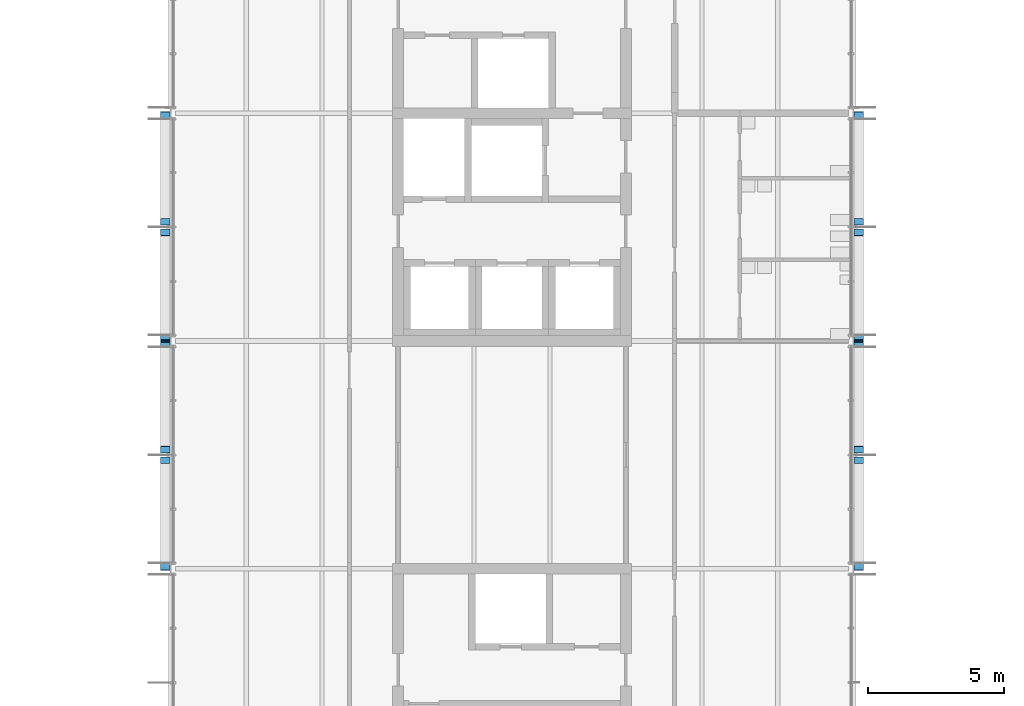
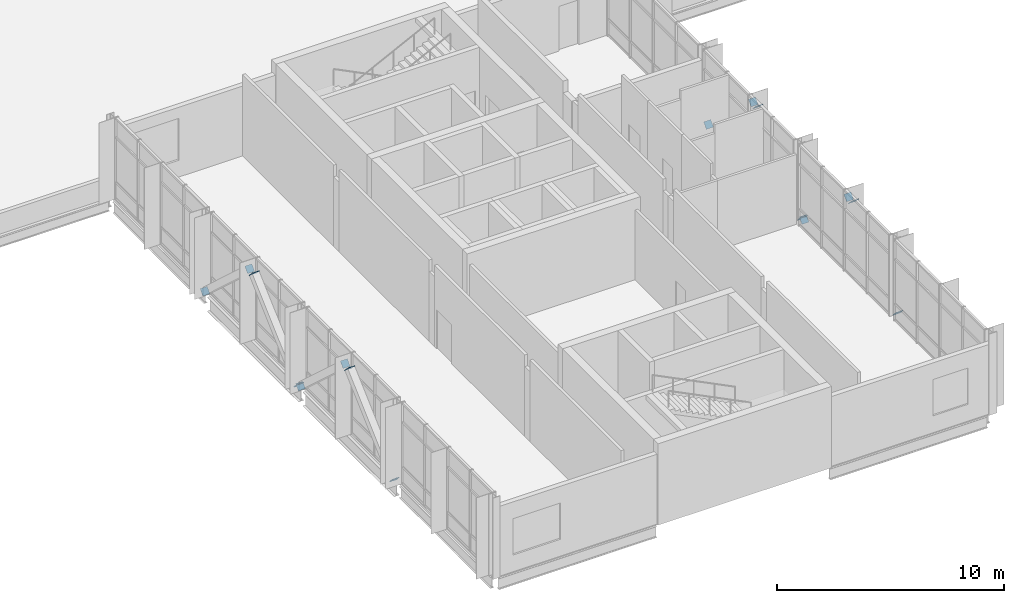
# One storey, part 23 of 26: 16 discrete accessories.
"""IFC4 building model written with IfcOpenShell, lengths in metres."""

from ifc_helpers import new_model, si_unit, direction, frame, origin, origin_2d, place, context, subcontext, project, spatial, rectangle, extrude, material, element, save


model = new_model("IFC4")

# Units and contexts
model_context = context("Model", 3, precision=1e-05, world=origin(), true_north=direction((0.0, 1.0)))
body_context = subcontext(model_context, "Body", "Model", "MODEL_VIEW")
ifc_project = project(units=[si_unit("LENGTHUNIT", "METRE"), si_unit("AREAUNIT", "SQUARE_METRE"), si_unit("VOLUMEUNIT", "CUBIC_METRE"), si_unit("PLANEANGLEUNIT", "RADIAN"), si_unit("MASSUNIT", "GRAM", prefix="KILO")], contexts=[model_context])

# Site, building, storey
site_placement = place(None, origin())
site = spatial("IfcSite", under=ifc_project, at=site_placement, CompositionType="ELEMENT")
building_placement = place(site_placement, origin())
building = spatial("IfcBuilding", under=site, at=building_placement, Name="Hlaing Beacon Police Headquarters", CompositionType="ELEMENT")
storey_placement = place(building_placement, frame((0.0, 0.0, 23.39990234375)))
storey = spatial("IfcBuildingStorey", under=building, at=storey_placement, Name="L05", CompositionType="ELEMENT", Elevation=23.39990234375)

# Discrete accessories
ifc_material = material(Name="Steel ASTM A572 Grade 50", Category="steel")
for number, where, z_axis, x_axis, name in (
    (1, (100.6181640625, 42.076904296875, 0.136474609375), (0.0, -0.73795116487, -0.674854116286), (1.0, 0.0, 0.0), "Gusset plate GP-057"),
    (2, (100.6181640625, 45.994140625, 3.71875), (0.0, 0.73795116487, 0.674854116286), (-1.0, 0.0, 0.0), "Gusset plate GP-058"),
    (3, (100.6181640625, 50.3232421875, 0.136474609375), (0.0, 0.737972047652, -0.674831280309), (-1.0, 0.0, 0.0), "Gusset plate GP-059"),
    (4, (100.6181640625, 46.40576171875, 3.71875), (0.0, -0.737972047652, 0.674831280309), (1.0, 0.0, 0.0), "Gusset plate GP-060"),
    (5, (100.6181640625, 50.476806640625, 0.136474609375), (0.0, -0.73795116487, -0.674854116286), (1.0, 0.0, 0.0), "Gusset plate GP-061"),
    (6, (100.6181640625, 54.39404296875, 3.71875), (0.0, 0.73795116487, 0.674854116286), (-1.0, 0.0, 0.0), "Gusset plate GP-062"),
    (7, (100.6181640625, 58.72314453125, 0.136474609375), (0.0, 0.73795116487, -0.674854116286), (-1.0, 0.0, 0.0), "Gusset plate GP-063"),
    (8, (100.6181640625, 54.805908203125, 3.71875), (0.0, -0.73795116487, 0.674854116286), (1.0, 0.0, 0.0), "Gusset plate GP-064"),
    (9, (126.181884765625, 42.076904296875, 0.136474609375), (0.0, -0.73795116487, -0.674854116286), (1.0, 0.0, 0.0), "Gusset plate GP-113"),
    (10, (126.181884765625, 45.994140625, 3.71875), (0.0, 0.73795116487, 0.674854116286), (-1.0, 0.0, 0.0), "Gusset plate GP-114"),
    (11, (126.181884765625, 50.3232421875, 0.136474609375), (0.0, 0.737972047652, -0.674831280309), (-1.0, 0.0, 0.0), "Gusset plate GP-115"),
    (12, (126.181884765625, 46.40576171875, 3.71875), (0.0, -0.737972047652, 0.674831280309), (1.0, 0.0, 0.0), "Gusset plate GP-116"),
    (13, (126.181884765625, 50.476806640625, 0.136474609375), (0.0, -0.73795116487, -0.674854116286), (1.0, 0.0, 0.0), "Gusset plate GP-117"),
    (14, (126.181884765625, 54.39404296875, 3.71875), (0.0, 0.73795116487, 0.674854116286), (-1.0, 0.0, 0.0), "Gusset plate GP-118"),
    (15, (126.181884765625, 58.72314453125, 0.136474609375), (0.0, 0.73795116487, -0.674854116286), (-1.0, 0.0, 0.0), "Gusset plate GP-119"),
    (16, (126.181884765625, 54.805908203125, 3.71875), (0.0, -0.73795116487, 0.674854116286), (1.0, 0.0, 0.0), "Gusset plate GP-120"),
):
    element("IfcDiscreteAccessory", number, at=place(storey_placement, frame(where, z_axis=z_axis, x_axis=x_axis)), inside=storey, material=ifc_material, Name=name, PredefinedType="BRACKET", context=body_context, shape_type="SweptSolid", body=[
        extrude(rectangle(XDim=0.355712890625, YDim=0.355712890625, at=origin_2d()), origin(), (0.0, 0.0, 1.0), 0.01611328125),
    ])

save(model, "model.ifc")
